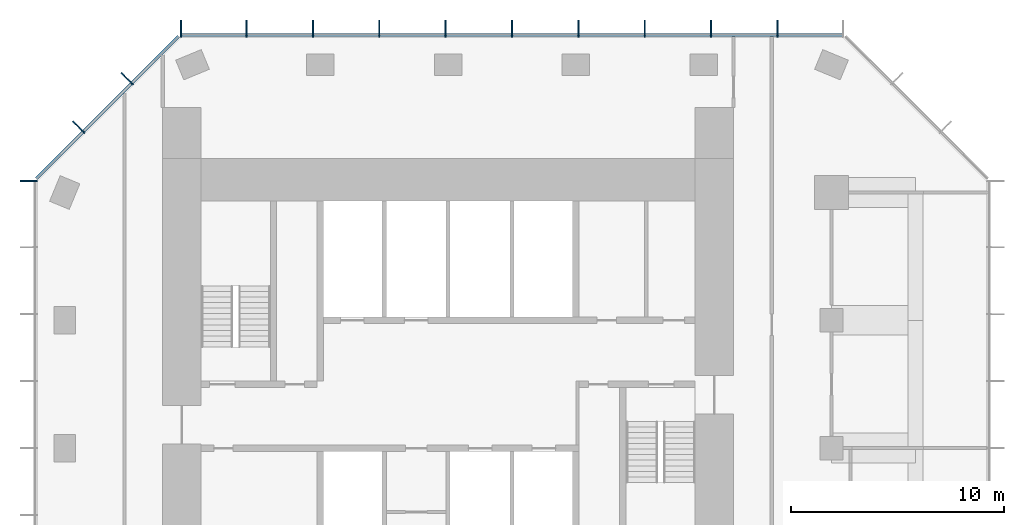
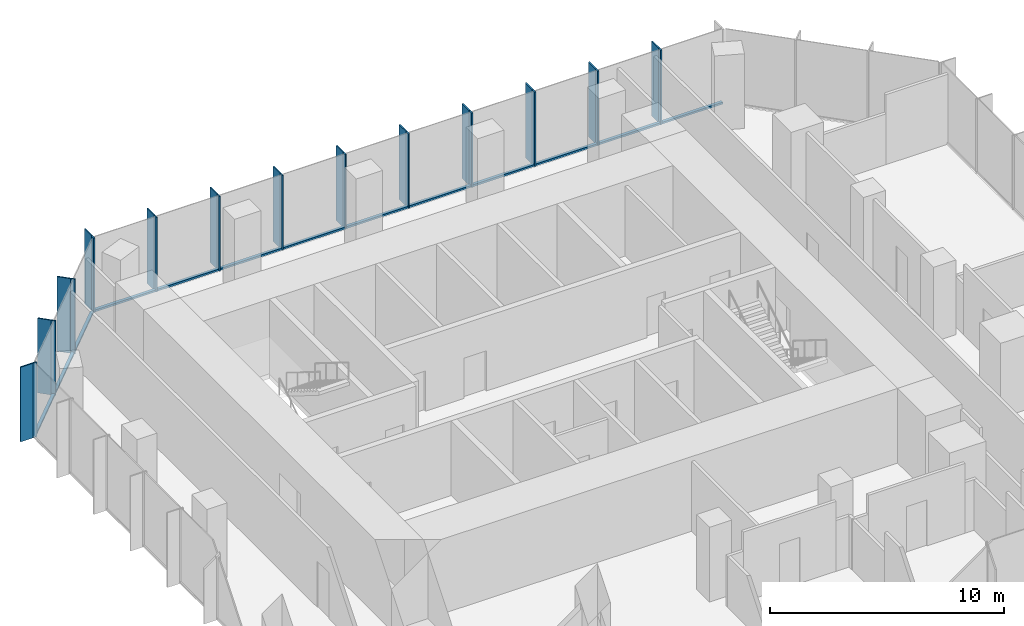
# One storey, part 5 of 11: 39 members, 3 elements without a shape of their own.
"""IFC4 building model written with IfcOpenShell, lengths in metres."""

from ifc_helpers import new_model, si_unit, direction, frame, origin, origin_2d, place, context, subcontext, project, spatial, rectangle, extrude, material, layer, layer_set, material_profile, profile_set, type_object, element, aggregate, save


model = new_model("IFC4")

# Units and contexts
model_context = context("Model", 3, precision=1e-05, world=origin(), true_north=direction((0.0, 1.0)))
body_context = subcontext(model_context, "Body", "Model", "MODEL_VIEW")
ifc_project = project(units=[si_unit("LENGTHUNIT", "METRE"), si_unit("AREAUNIT", "SQUARE_METRE"), si_unit("VOLUMEUNIT", "CUBIC_METRE"), si_unit("PLANEANGLEUNIT", "RADIAN"), si_unit("MASSUNIT", "GRAM", prefix="KILO")], contexts=[model_context])

# Site, building, storey
site_placement = place(None, origin())
site = spatial("IfcSite", under=ifc_project, at=site_placement, CompositionType="ELEMENT")
building_placement = place(site_placement, origin())
building = spatial("IfcBuilding", under=site, at=building_placement, Name="Highveld Stack Headquarters", CompositionType="ELEMENT")
storey_placement = place(building_placement, frame((0.0, 0.0, 272.300048828125)))
storey = spatial("IfcBuildingStorey", under=building, at=storey_placement, Name="L67", CompositionType="ELEMENT", Elevation=272.300048828125)

# Curtain wall, members
ifc_material_1 = material(Name="Aluminium bronze anodised", Category="aluminium")
ifc_layer = layer(ifc_material_1, 0.199951171875)
ifc_layer_set = layer_set([ifc_layer], Name="Aluminium bronze anodised")
curtain_wall_type = type_object("IfcCurtainWallType", Name="CW5 EXECUTIVE UNITISED CURTAIN WALL", PredefinedType="NOTDEFINED", material=ifc_layer_set)
curtain_wall_1_placement = place(storey_placement, origin())
curtain_wall_1 = element("IfcCurtainWall", 1, at=curtain_wall_1_placement, inside=storey, type_object=curtain_wall_type, Name="Curtain wall CW5 L67 N", PredefinedType="NOTDEFINED")
ifc_material_2 = material(Name="Aluminium bronze anodised", Category="aluminium")
ifc_material_profile_1 = material_profile(ifc_material_2, rectangle(XDim=0.60009765625, YDim=0.06005859375, at=origin_2d()), Name="FIN 600x60")
ifc_profile_set_1 = profile_set([ifc_material_profile_1], Name="Aluminium bronze anodised")
member_type_1 = type_object("IfcMemberType", Name="CW5 BRONZE FIN 600x60", PredefinedType="USERDEFINED", material=ifc_profile_set_1)
member_1_placement = place(storey_placement, frame((21.4638671875, 19.800048828125, 0.0), z_axis=(0.0, 0.0, 1.0), x_axis=(0.0, -1.0, 0.0)))
member_1 = element("IfcMember", 2, at=member_1_placement, type_object=member_type_1, Name="CW5 fin L67 2", ObjectType="FIN", PredefinedType="USERDEFINED", context=body_context, shape_type="SweptSolid", body=[
    extrude(rectangle(XDim=0.60009765625, YDim=0.06005859375, at=origin_2d()), origin(), (0.0, 0.0, 1.0), 3.89990234375),
])
member_2_placement = place(storey_placement, frame((18.347900390625, 19.800048828125, 0.0), z_axis=(0.0, 0.0, 1.0), x_axis=(0.0, -1.0, 0.0)))
member_2 = element("IfcMember", 3, at=member_2_placement, type_object=member_type_1, Name="CW5 fin L67 3", ObjectType="FIN", PredefinedType="USERDEFINED", context=body_context, shape_type="SweptSolid", body=[
    extrude(rectangle(XDim=0.60009765625, YDim=0.06005859375, at=origin_2d()), origin(), (0.0, 0.0, 1.0), 3.89990234375),
])
member_3_placement = place(storey_placement, frame((15.23193359375, 19.800048828125, 0.0), z_axis=(0.0, 0.0, 1.0), x_axis=(0.0, -1.0, 0.0)))
member_3 = element("IfcMember", 4, at=member_3_placement, type_object=member_type_1, Name="CW5 fin L67 4", ObjectType="FIN", PredefinedType="USERDEFINED", context=body_context, shape_type="SweptSolid", body=[
    extrude(rectangle(XDim=0.60009765625, YDim=0.06005859375, at=origin_2d()), origin(), (0.0, 0.0, 1.0), 3.89990234375),
])
member_4_placement = place(storey_placement, frame((12.115966796875, 19.800048828125, 0.0), z_axis=(0.0, 0.0, 1.0), x_axis=(0.0, -1.0, 0.0)))
member_4 = element("IfcMember", 5, at=member_4_placement, type_object=member_type_1, Name="CW5 fin L67 5", ObjectType="FIN", PredefinedType="USERDEFINED", context=body_context, shape_type="SweptSolid", body=[
    extrude(rectangle(XDim=0.60009765625, YDim=0.06005859375, at=origin_2d()), origin(), (0.0, 0.0, 1.0), 3.89990234375),
])
member_5_placement = place(storey_placement, frame((9.0, 19.800048828125, 0.0), z_axis=(0.0, 0.0, 1.0), x_axis=(0.0, -1.0, 0.0)))
member_5 = element("IfcMember", 6, at=member_5_placement, type_object=member_type_1, Name="CW5 fin L67 6", ObjectType="FIN", PredefinedType="USERDEFINED", context=body_context, shape_type="SweptSolid", body=[
    extrude(rectangle(XDim=0.60009765625, YDim=0.06005859375, at=origin_2d()), origin(), (0.0, 0.0, 1.0), 3.89990234375),
])
member_6_placement = place(storey_placement, frame((5.884033203125, 19.800048828125, 0.0), z_axis=(0.0, 0.0, 1.0), x_axis=(0.0, -1.0, 0.0)))
member_6 = element("IfcMember", 7, at=member_6_placement, type_object=member_type_1, Name="CW5 fin L67 7", ObjectType="FIN", PredefinedType="USERDEFINED", context=body_context, shape_type="SweptSolid", body=[
    extrude(rectangle(XDim=0.60009765625, YDim=0.06005859375, at=origin_2d()), origin(), (0.0, 0.0, 1.0), 3.89990234375),
])
member_7_placement = place(storey_placement, frame((2.76806640625, 19.800048828125, 0.0), z_axis=(0.0, 0.0, 1.0), x_axis=(0.0, -1.0, 0.0)))
member_7 = element("IfcMember", 8, at=member_7_placement, type_object=member_type_1, Name="CW5 fin L67 8", ObjectType="FIN", PredefinedType="USERDEFINED", context=body_context, shape_type="SweptSolid", body=[
    extrude(rectangle(XDim=0.60009765625, YDim=0.06005859375, at=origin_2d()), origin(), (0.0, 0.0, 1.0), 3.89990234375),
])
member_8_placement = place(storey_placement, frame((-0.347900390625, 19.800048828125, 0.0), z_axis=(0.0, 0.0, 1.0), x_axis=(0.0, -1.0, 0.0)))
member_8 = element("IfcMember", 9, at=member_8_placement, type_object=member_type_1, Name="CW5 fin L67 9", ObjectType="FIN", PredefinedType="USERDEFINED", context=body_context, shape_type="SweptSolid", body=[
    extrude(rectangle(XDim=0.60009765625, YDim=0.06005859375, at=origin_2d()), origin(), (0.0, 0.0, 1.0), 3.89990234375),
])
member_9_placement = place(storey_placement, frame((-3.4638671875, 19.800048828125, 0.0), z_axis=(0.0, 0.0, 1.0), x_axis=(0.0, -1.0, 0.0)))
member_9 = element("IfcMember", 10, at=member_9_placement, type_object=member_type_1, Name="CW5 fin L67 10", ObjectType="FIN", PredefinedType="USERDEFINED", context=body_context, shape_type="SweptSolid", body=[
    extrude(rectangle(XDim=0.60009765625, YDim=0.06005859375, at=origin_2d()), origin(), (0.0, 0.0, 1.0), 3.89990234375),
])
member_10_placement = place(storey_placement, frame((-6.54736328125, 19.800048828125, 0.0), z_axis=(0.0, 0.0, 1.0), x_axis=(0.0, -1.0, 0.0)))
member_10 = element("IfcMember", 11, at=member_10_placement, type_object=member_type_1, Name="CW5 fin L67 11", ObjectType="FIN", PredefinedType="USERDEFINED", context=body_context, shape_type="SweptSolid", body=[
    extrude(rectangle(XDim=0.60009765625, YDim=0.06005859375, at=origin_2d()), origin(), (0.0, 0.0, 1.0), 3.89990234375),
])

curtain_wall_2_placement = place(storey_placement, origin())
curtain_wall_2 = element("IfcCurtainWall", 12, at=curtain_wall_2_placement, inside=storey, type_object=curtain_wall_type, Name="Curtain wall CW5 L67 NW", PredefinedType="NOTDEFINED")
member_11_placement = place(storey_placement, frame((-9.135986328125, 17.409423828125, 0.0), z_axis=(0.0, 0.0, 1.0), x_axis=(0.707106781187, -0.707106781187, 0.0)))
member_11 = element("IfcMember", 13, at=member_11_placement, type_object=member_type_1, Name="CW5 fin L67 1", ObjectType="FIN", PredefinedType="USERDEFINED", context=body_context, shape_type="SweptSolid", body=[
    extrude(rectangle(XDim=0.60009765625, YDim=0.06005859375, at=origin_2d()), origin(), (0.0, 0.0, 1.0), 3.89990234375),
])
member_12_placement = place(storey_placement, frame((-11.409423828125, 15.135986328125, 0.0), z_axis=(0.0, 0.0, 1.0), x_axis=(0.707106781187, -0.707106781187, 0.0)))
member_12 = element("IfcMember", 14, at=member_12_placement, type_object=member_type_1, Name="CW5 fin L67 2", ObjectType="FIN", PredefinedType="USERDEFINED", context=body_context, shape_type="SweptSolid", body=[
    extrude(rectangle(XDim=0.60009765625, YDim=0.06005859375, at=origin_2d()), origin(), (0.0, 0.0, 1.0), 3.89990234375),
])

# Curtain wall, member
curtain_wall_3_placement = place(storey_placement, origin())
curtain_wall_3 = element("IfcCurtainWall", 15, at=curtain_wall_3_placement, inside=storey, type_object=curtain_wall_type, Name="Curtain wall CW5 L67 W", PredefinedType="NOTDEFINED")
member_13_placement = place(storey_placement, frame((-13.800048828125, 12.54736328125, 0.0), z_axis=(0.0, 0.0, 1.0), x_axis=(1.0, 0.0, 0.0)))
member_13 = element("IfcMember", 16, at=member_13_placement, type_object=member_type_1, Name="CW5 fin L67 1", ObjectType="FIN", PredefinedType="USERDEFINED", context=body_context, shape_type="SweptSolid", body=[
    extrude(rectangle(XDim=0.60009765625, YDim=0.06005859375, at=origin_2d()), origin(), (0.0, 0.0, 1.0), 3.89990234375),
])

# Member
ifc_material_3 = material(Name="Aluminium bronze anodised", Category="aluminium")
ifc_material_profile_2 = material_profile(ifc_material_3, rectangle(XDim=0.199951171875, YDim=0.06494140625, at=origin_2d()), Name="CW5 MULLION 65x200")
ifc_profile_set_2 = profile_set([ifc_material_profile_2], Name="Aluminium bronze anodised")
member_type_2 = type_object("IfcMemberType", Name="CW5 MULLION 65x200", PredefinedType="MULLION", material=ifc_profile_set_2)
member_14_placement = place(storey_placement, frame((21.4638671875, 19.39990234375, 0.0), z_axis=(0.0, 0.0, 1.0), x_axis=(0.0, -1.0, 0.0)))
member_14 = element("IfcMember", 17, at=member_14_placement, type_object=member_type_2, Name="CW5 mullion L67 2", PredefinedType="MULLION", context=body_context, shape_type="SweptSolid", body=[
    extrude(rectangle(XDim=0.199951171875, YDim=0.06494140625, at=origin_2d()), origin(), (0.0, 0.0, 1.0), 3.89990234375),
])

member_15_placement = place(storey_placement, frame((18.347900390625, 19.39990234375, 0.0), z_axis=(0.0, 0.0, 1.0), x_axis=(0.0, -1.0, 0.0)))
member_15 = element("IfcMember", 18, at=member_15_placement, type_object=member_type_2, Name="CW5 mullion L67 3", PredefinedType="MULLION", context=body_context, shape_type="SweptSolid", body=[
    extrude(rectangle(XDim=0.199951171875, YDim=0.06494140625, at=origin_2d()), origin(), (0.0, 0.0, 1.0), 3.89990234375),
])

member_16_placement = place(storey_placement, frame((15.23193359375, 19.39990234375, 0.0), z_axis=(0.0, 0.0, 1.0), x_axis=(0.0, -1.0, 0.0)))
member_16 = element("IfcMember", 19, at=member_16_placement, type_object=member_type_2, Name="CW5 mullion L67 4", PredefinedType="MULLION", context=body_context, shape_type="SweptSolid", body=[
    extrude(rectangle(XDim=0.199951171875, YDim=0.06494140625, at=origin_2d()), origin(), (0.0, 0.0, 1.0), 3.89990234375),
])

member_17_placement = place(storey_placement, frame((12.115966796875, 19.39990234375, 0.0), z_axis=(0.0, 0.0, 1.0), x_axis=(0.0, -1.0, 0.0)))
member_17 = element("IfcMember", 20, at=member_17_placement, type_object=member_type_2, Name="CW5 mullion L67 5", PredefinedType="MULLION", context=body_context, shape_type="SweptSolid", body=[
    extrude(rectangle(XDim=0.199951171875, YDim=0.06494140625, at=origin_2d()), origin(), (0.0, 0.0, 1.0), 3.89990234375),
])

member_18_placement = place(storey_placement, frame((9.0, 19.39990234375, 0.0), z_axis=(0.0, 0.0, 1.0), x_axis=(0.0, -1.0, 0.0)))
member_18 = element("IfcMember", 21, at=member_18_placement, type_object=member_type_2, Name="CW5 mullion L67 6", PredefinedType="MULLION", context=body_context, shape_type="SweptSolid", body=[
    extrude(rectangle(XDim=0.199951171875, YDim=0.06494140625, at=origin_2d()), origin(), (0.0, 0.0, 1.0), 3.89990234375),
])

member_19_placement = place(storey_placement, frame((5.884033203125, 19.39990234375, 0.0), z_axis=(0.0, 0.0, 1.0), x_axis=(0.0, -1.0, 0.0)))
member_19 = element("IfcMember", 22, at=member_19_placement, type_object=member_type_2, Name="CW5 mullion L67 7", PredefinedType="MULLION", context=body_context, shape_type="SweptSolid", body=[
    extrude(rectangle(XDim=0.199951171875, YDim=0.06494140625, at=origin_2d()), origin(), (0.0, 0.0, 1.0), 3.89990234375),
])

member_20_placement = place(storey_placement, frame((2.76806640625, 19.39990234375, 0.0), z_axis=(0.0, 0.0, 1.0), x_axis=(0.0, -1.0, 0.0)))
member_20 = element("IfcMember", 23, at=member_20_placement, type_object=member_type_2, Name="CW5 mullion L67 8", PredefinedType="MULLION", context=body_context, shape_type="SweptSolid", body=[
    extrude(rectangle(XDim=0.199951171875, YDim=0.06494140625, at=origin_2d()), origin(), (0.0, 0.0, 1.0), 3.89990234375),
])

member_21_placement = place(storey_placement, frame((-0.347900390625, 19.39990234375, 0.0), z_axis=(0.0, 0.0, 1.0), x_axis=(0.0, -1.0, 0.0)))
member_21 = element("IfcMember", 24, at=member_21_placement, type_object=member_type_2, Name="CW5 mullion L67 9", PredefinedType="MULLION", context=body_context, shape_type="SweptSolid", body=[
    extrude(rectangle(XDim=0.199951171875, YDim=0.06494140625, at=origin_2d()), origin(), (0.0, 0.0, 1.0), 3.89990234375),
])

member_22_placement = place(storey_placement, frame((-3.4638671875, 19.39990234375, 0.0), z_axis=(0.0, 0.0, 1.0), x_axis=(0.0, -1.0, 0.0)))
member_22 = element("IfcMember", 25, at=member_22_placement, type_object=member_type_2, Name="CW5 mullion L67 10", PredefinedType="MULLION", context=body_context, shape_type="SweptSolid", body=[
    extrude(rectangle(XDim=0.199951171875, YDim=0.06494140625, at=origin_2d()), origin(), (0.0, 0.0, 1.0), 3.89990234375),
])

member_23_placement = place(storey_placement, frame((-6.54736328125, 19.39990234375, 0.0), z_axis=(0.0, 0.0, 1.0), x_axis=(0.0, -1.0, 0.0)))
member_23 = element("IfcMember", 26, at=member_23_placement, type_object=member_type_2, Name="CW5 mullion L67 11", PredefinedType="MULLION", context=body_context, shape_type="SweptSolid", body=[
    extrude(rectangle(XDim=0.199951171875, YDim=0.06494140625, at=origin_2d()), origin(), (0.0, 0.0, 1.0), 3.89990234375),
])

member_24_placement = place(storey_placement, frame((-8.853271484375, 17.126708984375, 0.0), z_axis=(0.0, 0.0, 1.0), x_axis=(0.707106781187, -0.707106781187, 0.0)))
member_24 = element("IfcMember", 27, at=member_24_placement, type_object=member_type_2, Name="CW5 mullion L67 1", PredefinedType="MULLION", context=body_context, shape_type="SweptSolid", body=[
    extrude(rectangle(XDim=0.199951171875, YDim=0.06494140625, at=origin_2d()), origin(), (0.0, 0.0, 1.0), 3.89990234375),
])

member_25_placement = place(storey_placement, frame((-11.126708984375, 14.853271484375, 0.0), z_axis=(0.0, 0.0, 1.0), x_axis=(0.707106781187, -0.707106781187, 0.0)))
member_25 = element("IfcMember", 28, at=member_25_placement, type_object=member_type_2, Name="CW5 mullion L67 2", PredefinedType="MULLION", context=body_context, shape_type="SweptSolid", body=[
    extrude(rectangle(XDim=0.199951171875, YDim=0.06494140625, at=origin_2d()), origin(), (0.0, 0.0, 1.0), 3.89990234375),
])

member_26_placement = place(storey_placement, frame((-13.39990234375, 12.54736328125, 0.0), z_axis=(0.0, 0.0, 1.0), x_axis=(1.0, 0.0, 0.0)))
member_26 = element("IfcMember", 29, at=member_26_placement, type_object=member_type_2, Name="CW5 mullion L67 1", PredefinedType="MULLION", context=body_context, shape_type="SweptSolid", body=[
    extrude(rectangle(XDim=0.199951171875, YDim=0.06494140625, at=origin_2d()), origin(), (0.0, 0.0, 1.0), 3.89990234375),
])

aggregate(curtain_wall_3, [member_26, member_13])

ifc_material_4 = material(Name="Aluminium bronze anodised", Category="aluminium")
ifc_material_profile_3 = material_profile(ifc_material_4, rectangle(XDim=0.14990234375, YDim=0.10009765625, at=origin_2d()), Name="CW5 TRANSOM 150x100")
ifc_profile_set_3 = profile_set([ifc_material_profile_3], Name="Aluminium bronze anodised")
member_type_3 = type_object("IfcMemberType", Name="CW5 STACK TRANSOM 150x100", PredefinedType="USERDEFINED", material=ifc_profile_set_3)
member_27_placement = place(storey_placement, frame((24.514892578125, 19.39990234375, 0.050048828125), z_axis=(-1.0, 0.0, 0.0), x_axis=(0.0, -1.0, 0.0)))
member_27 = element("IfcMember", 30, at=member_27_placement, type_object=member_type_3, Name="CW5 transom L67 1.1", ObjectType="TRANSOM", PredefinedType="USERDEFINED", context=body_context, shape_type="SweptSolid", body=[
    extrude(rectangle(XDim=0.14990234375, YDim=0.10009765625, at=origin_2d()), origin(), (0.0, 0.0, 1.0), 3.0185546875),
])

member_28_placement = place(storey_placement, frame((21.431396484375, 19.39990234375, 0.050048828125), z_axis=(-1.0, 0.0, 0.0), x_axis=(0.0, -1.0, 0.0)))
member_28 = element("IfcMember", 31, at=member_28_placement, type_object=member_type_3, Name="CW5 transom L67 2.1", ObjectType="TRANSOM", PredefinedType="USERDEFINED", context=body_context, shape_type="SweptSolid", body=[
    extrude(rectangle(XDim=0.14990234375, YDim=0.10009765625, at=origin_2d()), origin(), (0.0, 0.0, 1.0), 3.051025390625),
])

member_29_placement = place(storey_placement, frame((18.3154296875, 19.39990234375, 0.050048828125), z_axis=(-1.0, 0.0, 0.0), x_axis=(0.0, -1.0, 0.0)))
member_29 = element("IfcMember", 32, at=member_29_placement, type_object=member_type_3, Name="CW5 transom L67 3.1", ObjectType="TRANSOM", PredefinedType="USERDEFINED", context=body_context, shape_type="SweptSolid", body=[
    extrude(rectangle(XDim=0.14990234375, YDim=0.10009765625, at=origin_2d()), origin(), (0.0, 0.0, 1.0), 3.051025390625),
])

member_30_placement = place(storey_placement, frame((15.199462890625, 19.39990234375, 0.050048828125), z_axis=(-1.0, 0.0, 0.0), x_axis=(0.0, -1.0, 0.0)))
member_30 = element("IfcMember", 33, at=member_30_placement, type_object=member_type_3, Name="CW5 transom L67 4.1", ObjectType="TRANSOM", PredefinedType="USERDEFINED", context=body_context, shape_type="SweptSolid", body=[
    extrude(rectangle(XDim=0.14990234375, YDim=0.10009765625, at=origin_2d()), origin(), (0.0, 0.0, 1.0), 3.051025390625),
])

member_31_placement = place(storey_placement, frame((12.08349609375, 19.39990234375, 0.050048828125), z_axis=(-1.0, 0.0, 0.0), x_axis=(0.0, -1.0, 0.0)))
member_31 = element("IfcMember", 34, at=member_31_placement, type_object=member_type_3, Name="CW5 transom L67 5.1", ObjectType="TRANSOM", PredefinedType="USERDEFINED", context=body_context, shape_type="SweptSolid", body=[
    extrude(rectangle(XDim=0.14990234375, YDim=0.10009765625, at=origin_2d()), origin(), (0.0, 0.0, 1.0), 3.051025390625),
])

member_32_placement = place(storey_placement, frame((8.967529296875, 19.39990234375, 0.050048828125), z_axis=(-1.0, 0.0, 0.0), x_axis=(0.0, -1.0, 0.0)))
member_32 = element("IfcMember", 35, at=member_32_placement, type_object=member_type_3, Name="CW5 transom L67 6.1", ObjectType="TRANSOM", PredefinedType="USERDEFINED", context=body_context, shape_type="SweptSolid", body=[
    extrude(rectangle(XDim=0.14990234375, YDim=0.10009765625, at=origin_2d()), origin(), (0.0, 0.0, 1.0), 3.051025390625),
])

member_33_placement = place(storey_placement, frame((5.8515625, 19.39990234375, 0.050048828125), z_axis=(-1.0, 0.0, 0.0), x_axis=(0.0, -1.0, 0.0)))
member_33 = element("IfcMember", 36, at=member_33_placement, type_object=member_type_3, Name="CW5 transom L67 7.1", ObjectType="TRANSOM", PredefinedType="USERDEFINED", context=body_context, shape_type="SweptSolid", body=[
    extrude(rectangle(XDim=0.14990234375, YDim=0.10009765625, at=origin_2d()), origin(), (0.0, 0.0, 1.0), 3.051025390625),
])

member_34_placement = place(storey_placement, frame((2.735595703125, 19.39990234375, 0.050048828125), z_axis=(-1.0, 0.0, 0.0), x_axis=(0.0, -1.0, 0.0)))
member_34 = element("IfcMember", 37, at=member_34_placement, type_object=member_type_3, Name="CW5 transom L67 8.1", ObjectType="TRANSOM", PredefinedType="USERDEFINED", context=body_context, shape_type="SweptSolid", body=[
    extrude(rectangle(XDim=0.14990234375, YDim=0.10009765625, at=origin_2d()), origin(), (0.0, 0.0, 1.0), 3.051025390625),
])

member_35_placement = place(storey_placement, frame((-0.38037109375, 19.39990234375, 0.050048828125), z_axis=(-1.0, 0.0, 0.0), x_axis=(0.0, -1.0, 0.0)))
member_35 = element("IfcMember", 38, at=member_35_placement, type_object=member_type_3, Name="CW5 transom L67 9.1", ObjectType="TRANSOM", PredefinedType="USERDEFINED", context=body_context, shape_type="SweptSolid", body=[
    extrude(rectangle(XDim=0.14990234375, YDim=0.10009765625, at=origin_2d()), origin(), (0.0, 0.0, 1.0), 3.051025390625),
])

member_36_placement = place(storey_placement, frame((-3.496337890625, 19.39990234375, 0.050048828125), z_axis=(-1.0, 0.0, 0.0), x_axis=(0.0, -1.0, 0.0)))
member_36 = element("IfcMember", 39, at=member_36_placement, type_object=member_type_3, Name="CW5 transom L67 10.1", ObjectType="TRANSOM", PredefinedType="USERDEFINED", context=body_context, shape_type="SweptSolid", body=[
    extrude(rectangle(XDim=0.14990234375, YDim=0.10009765625, at=origin_2d()), origin(), (0.0, 0.0, 1.0), 3.0185546875),
])

aggregate(curtain_wall_1, [member_14, member_1, member_15, member_2, member_16, member_3, member_17, member_4, member_18, member_5, member_19, member_6, member_20, member_7, member_21, member_8, member_22, member_9, member_23, member_10, member_27, member_28, member_29, member_30, member_31, member_32, member_33, member_34, member_35, member_36])

member_37_placement = place(storey_placement, frame((-6.650634765625, 19.329345703125, 0.050048828125), z_axis=(-0.707106781187, -0.707106781187, 0.0), x_axis=(0.707106781187, -0.707106781187, 0.0)))
member_37 = element("IfcMember", 40, at=member_37_placement, type_object=member_type_3, Name="CW5 transom L67 1.1", ObjectType="TRANSOM", PredefinedType="USERDEFINED", context=body_context, shape_type="SweptSolid", body=[
    extrude(rectangle(XDim=0.14990234375, YDim=0.10009765625, at=origin_2d()), origin(), (0.0, 0.0, 1.0), 3.08251953125),
])

member_38_placement = place(storey_placement, frame((-8.876220703125, 17.103759765625, 0.050048828125), z_axis=(-0.707106781187, -0.707106781187, 0.0), x_axis=(0.707106781187, -0.707106781187, 0.0)))
member_38 = element("IfcMember", 41, at=member_38_placement, type_object=member_type_3, Name="CW5 transom L67 2.1", ObjectType="TRANSOM", PredefinedType="USERDEFINED", context=body_context, shape_type="SweptSolid", body=[
    extrude(rectangle(XDim=0.14990234375, YDim=0.10009765625, at=origin_2d()), origin(), (0.0, 0.0, 1.0), 3.150146484375),
])

member_39_placement = place(storey_placement, frame((-11.149658203125, 14.830322265625, 0.050048828125), z_axis=(-0.707106781187, -0.707106781187, 0.0), x_axis=(0.707106781187, -0.707106781187, 0.0)))
member_39 = element("IfcMember", 42, at=member_39_placement, type_object=member_type_3, Name="CW5 transom L67 3.1", ObjectType="TRANSOM", PredefinedType="USERDEFINED", context=body_context, shape_type="SweptSolid", body=[
    extrude(rectangle(XDim=0.14990234375, YDim=0.10009765625, at=origin_2d()), origin(), (0.0, 0.0, 1.0), 3.08251953125),
])

aggregate(curtain_wall_2, [member_24, member_11, member_25, member_12, member_37, member_38, member_39])

save(model, "model.ifc")
